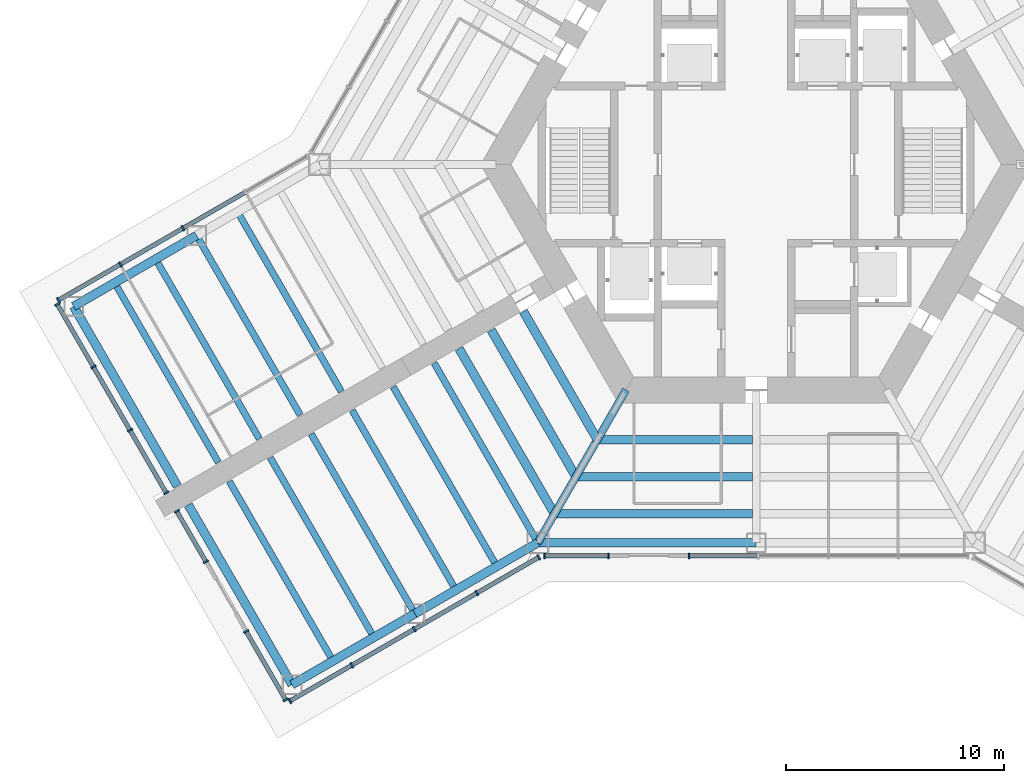
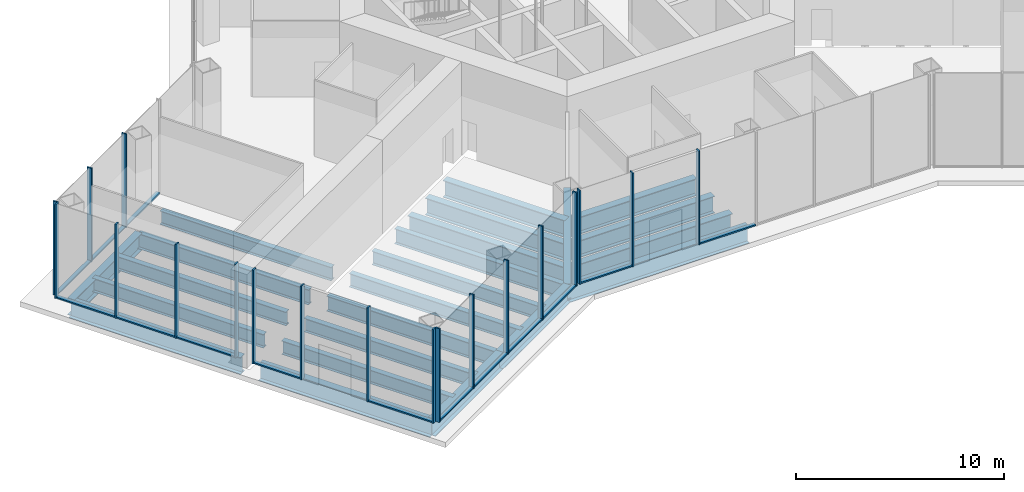
# One storey, part 2 of 18: 33 members, 23 beams, 7 elements without a shape of their own.
"""IFC4 building model written with IfcOpenShell, lengths in metres."""

from ifc_helpers import new_model, si_unit, direction, frame, origin, origin_2d, place, context, subcontext, project, spatial, rectangle, i_section, extrude, material, material_profile, profile_set, type_object, element, aggregate, save


model = new_model("IFC4")

# Units and contexts
model_context = context("Model", 3, precision=1e-05, world=origin(), true_north=direction((0.0, 1.0)))
body_context = subcontext(model_context, "Body", "Model", "MODEL_VIEW")
ifc_project = project(units=[si_unit("LENGTHUNIT", "METRE"), si_unit("AREAUNIT", "SQUARE_METRE"), si_unit("VOLUMEUNIT", "CUBIC_METRE"), si_unit("PLANEANGLEUNIT", "RADIAN"), si_unit("MASSUNIT", "GRAM", prefix="KILO")], contexts=[model_context])

# Site, building, storey
site_placement = place(None, origin())
site = spatial("IfcSite", under=ifc_project, at=site_placement, CompositionType="ELEMENT")
building_placement = place(site_placement, origin())
building = spatial("IfcBuilding", under=site, at=building_placement, Name="Kasaneha Research Tower", CompositionType="ELEMENT")
storey_placement = place(building_placement, origin())
storey = spatial("IfcBuildingStorey", under=building, at=storey_placement, Name="L01", CompositionType="ELEMENT", Elevation=0.0)

# Beams
ifc_material_1 = material(Name="Steel SN490B", Category="steel")
ifc_material_profile_1 = material_profile(ifc_material_1, i_section(OverallWidth=0.39990234375, OverallDepth=1.0, WebThickness=0.01904296875, FlangeThickness=0.035888671875, at=origin_2d()), Name="BH-1000x400x19x36")
ifc_profile_set_1 = profile_set([ifc_material_profile_1], Name="Steel SN490B")
beam_type_1 = type_object("IfcBeamType", Name="B1-0 secondary beam BH-1000x400x19x36", PredefinedType="JOIST", material=ifc_profile_set_1)
beam_1_placement = place(storey_placement, frame((-7.274658203125, -12.60009765625, -0.800048828125), z_axis=(-0.499976170333, 0.866039161412, 0.0), x_axis=(-0.866039161412, -0.499976170333, 0.0)))
element("IfcBeam", 1, at=beam_1_placement, inside=storey, type_object=beam_type_1, Name="Secondary beam RS210R1 L01", PredefinedType="JOIST", context=body_context, shape_type="SweptSolid", body=[
    extrude(i_section(OverallWidth=0.39990234375, OverallDepth=1.0, WebThickness=0.01904296875, FlangeThickness=0.035888671875, at=origin_2d()), origin(), (0.0, 0.0, 1.0), 6.774658203125),
])
beam_2_placement = place(storey_placement, frame((-8.256103515625, -14.300048828125, -0.800048828125), z_axis=(-0.500008546953, 0.866020469142, 0.0), x_axis=(-0.866020469142, -0.500008546953, 0.0)))
element("IfcBeam", 2, at=beam_2_placement, inside=storey, type_object=beam_type_1, Name="Secondary beam RS210R2 L01", PredefinedType="JOIST", context=body_context, shape_type="SweptSolid", body=[
    extrude(i_section(OverallWidth=0.39990234375, OverallDepth=1.0, WebThickness=0.01904296875, FlangeThickness=0.035888671875, at=origin_2d()), origin(), (0.0, 0.0, 1.0), 7.756103515625),
])
beam_3_placement = place(storey_placement, frame((-9.237548828125, -16.0, -0.800048828125), z_axis=(-0.500012694249, 0.866018074632, 0.0), x_axis=(-0.866018074632, -0.500012694249, 0.0)))
element("IfcBeam", 3, at=beam_3_placement, inside=storey, type_object=beam_type_1, Name="Secondary beam RS210R3 L01", PredefinedType="JOIST", context=body_context, shape_type="SweptSolid", body=[
    extrude(i_section(OverallWidth=0.39990234375, OverallDepth=1.0, WebThickness=0.01904296875, FlangeThickness=0.035888671875, at=origin_2d()), origin(), (0.0, 0.0, 1.0), 8.737548828125),
])
beam_4_placement = place(storey_placement, frame((-7.274658203125, -12.60009765625, -0.800048828125), z_axis=(1.0, 0.0, 0.0), x_axis=(0.0, 1.0, 0.0)))
element("IfcBeam", 4, at=beam_4_placement, inside=storey, type_object=beam_type_1, Name="Secondary beam RS270L1 L01", PredefinedType="JOIST", context=body_context, shape_type="SweptSolid", body=[
    extrude(i_section(OverallWidth=0.39990234375, OverallDepth=1.0, WebThickness=0.01904296875, FlangeThickness=0.035888671875, at=origin_2d()), origin(), (0.0, 0.0, 1.0), 7.099609375),
])
beam_5_placement = place(storey_placement, frame((-8.256103515625, -14.300048828125, -0.800048828125), z_axis=(1.0, 0.0, 0.0), x_axis=(0.0, 1.0, 0.0)))
element("IfcBeam", 5, at=beam_5_placement, inside=storey, type_object=beam_type_1, Name="Secondary beam RS270L2 L01", PredefinedType="JOIST", context=body_context, shape_type="SweptSolid", body=[
    extrude(i_section(OverallWidth=0.39990234375, OverallDepth=1.0, WebThickness=0.01904296875, FlangeThickness=0.035888671875, at=origin_2d()), origin(), (0.0, 0.0, 1.0), 8.0810546875),
])
beam_6_placement = place(storey_placement, frame((-9.237548828125, -16.0, -0.800048828125), z_axis=(1.0, 0.0, 0.0), x_axis=(0.0, 1.0, 0.0)))
element("IfcBeam", 6, at=beam_6_placement, inside=storey, type_object=beam_type_1, Name="Secondary beam RS270L3 L01", PredefinedType="JOIST", context=body_context, shape_type="SweptSolid", body=[
    extrude(i_section(OverallWidth=0.39990234375, OverallDepth=1.0, WebThickness=0.01904296875, FlangeThickness=0.035888671875, at=origin_2d()), origin(), (0.0, 0.0, 1.0), 9.0625),
])
ifc_material_2 = material(Name="Steel SN490B", Category="steel")
ifc_material_profile_2 = material_profile(ifc_material_2, i_section(OverallWidth=0.300048828125, OverallDepth=0.800048828125, WebThickness=0.013916015625, FlangeThickness=0.02587890625, FilletRadius=0.01806640625, at=origin_2d()), Name="H-800x300x14x26")
ifc_profile_set_2 = profile_set([ifc_material_profile_2], Name="Steel SN490B")
beam_type_2 = type_object("IfcBeamType", Name="B2-0 secondary beam H-800x300x14x26", PredefinedType="JOIST", material=ifc_profile_set_2)
beam_7_placement = place(storey_placement, frame((-23.752685546875, -2.166748046875, -0.699951171875), z_axis=(0.500008685663, -0.866020389056, 0.0), x_axis=(0.866020389056, 0.500008685663, 0.0)))
element("IfcBeam", 7, at=beam_7_placement, inside=storey, type_object=beam_type_2, Name="Secondary beam WBBP2 L01", PredefinedType="JOIST", context=body_context, shape_type="SweptSolid", body=[
    extrude(i_section(OverallWidth=0.300048828125, OverallDepth=0.800048828125, WebThickness=0.013916015625, FlangeThickness=0.02587890625, FilletRadius=0.01806640625, at=origin_2d()), origin(), (0.0, 0.0, 1.0), 9.499755859375),
])
beam_8_placement = place(storey_placement, frame((-27.505615234375, -4.333251953125, -0.699951171875), z_axis=(0.499997557548, -0.86602681393, 0.0), x_axis=(0.86602681393, 0.499997557548, 0.0)))
element("IfcBeam", 8, at=beam_8_placement, inside=storey, type_object=beam_type_2, Name="Secondary beam WBBP3 L01", PredefinedType="JOIST", context=body_context, shape_type="SweptSolid", body=[
    extrude(i_section(OverallWidth=0.300048828125, OverallDepth=0.800048828125, WebThickness=0.013916015625, FlangeThickness=0.02587890625, FilletRadius=0.01806640625, at=origin_2d()), origin(), (0.0, 0.0, 1.0), 9.5),
])
beam_9_placement = place(storey_placement, frame((-29.3818359375, -5.416748046875, -0.699951171875), z_axis=(0.500008685663, -0.866020389056, 0.0), x_axis=(0.866020389056, 0.500008685663, 0.0)))
element("IfcBeam", 9, at=beam_9_placement, inside=storey, type_object=beam_type_2, Name="Secondary beam WBBP4 L01", PredefinedType="JOIST", context=body_context, shape_type="SweptSolid", body=[
    extrude(i_section(OverallWidth=0.300048828125, OverallDepth=0.800048828125, WebThickness=0.013916015625, FlangeThickness=0.02587890625, FilletRadius=0.01806640625, at=origin_2d()), origin(), (0.0, 0.0, 1.0), 9.499755859375),
])
beam_10_placement = place(storey_placement, frame((-11.87646484375, -18.40380859375, -0.699951171875), z_axis=(-0.499997557548, 0.86602681393, 0.0), x_axis=(-0.86602681393, -0.499997557548, 0.0)))
element("IfcBeam", 10, at=beam_10_placement, inside=storey, type_object=beam_type_2, Name="Secondary beam WBBN1 L01", PredefinedType="JOIST", context=body_context, shape_type="SweptSolid", body=[
    extrude(i_section(OverallWidth=0.300048828125, OverallDepth=0.800048828125, WebThickness=0.013916015625, FlangeThickness=0.02587890625, FilletRadius=0.01806640625, at=origin_2d()), origin(), (0.0, 0.0, 1.0), 9.5),
])
beam_11_placement = place(storey_placement, frame((-13.752685546875, -19.487060546875, -0.699951171875), z_axis=(-0.500008685663, 0.866020389056, 0.0), x_axis=(-0.866020389056, -0.500008685663, 0.0)))
element("IfcBeam", 11, at=beam_11_placement, inside=storey, type_object=beam_type_2, Name="Secondary beam WBBN2 L01", PredefinedType="JOIST", context=body_context, shape_type="SweptSolid", body=[
    extrude(i_section(OverallWidth=0.300048828125, OverallDepth=0.800048828125, WebThickness=0.013916015625, FlangeThickness=0.02587890625, FilletRadius=0.01806640625, at=origin_2d()), origin(), (0.0, 0.0, 1.0), 9.499755859375),
])
beam_12_placement = place(storey_placement, frame((-17.505615234375, -21.65380859375, -0.699951171875), z_axis=(-0.499997557548, 0.86602681393, 0.0), x_axis=(-0.86602681393, -0.499997557548, 0.0)))
element("IfcBeam", 12, at=beam_12_placement, inside=storey, type_object=beam_type_2, Name="Secondary beam WBBN3 L01", PredefinedType="JOIST", context=body_context, shape_type="SweptSolid", body=[
    extrude(i_section(OverallWidth=0.300048828125, OverallDepth=0.800048828125, WebThickness=0.013916015625, FlangeThickness=0.02587890625, FilletRadius=0.01806640625, at=origin_2d()), origin(), (0.0, 0.0, 1.0), 9.5),
])
beam_13_placement = place(storey_placement, frame((-19.3818359375, -22.737060546875, -0.699951171875), z_axis=(-0.500008685663, 0.866020389056, 0.0), x_axis=(-0.866020389056, -0.500008685663, 0.0)))
element("IfcBeam", 13, at=beam_13_placement, inside=storey, type_object=beam_type_2, Name="Secondary beam WBBN4 L01", PredefinedType="JOIST", context=body_context, shape_type="SweptSolid", body=[
    extrude(i_section(OverallWidth=0.300048828125, OverallDepth=0.800048828125, WebThickness=0.013916015625, FlangeThickness=0.02587890625, FilletRadius=0.01806640625, at=origin_2d()), origin(), (0.0, 0.0, 1.0), 9.499755859375),
])

# Curtain wall, members
ifc_material_3 = material(Name="Glass and aluminium", Category="aluminium")
curtain_wall_type = type_object("IfcCurtainWallType", Name="Entrance hall curtain wall", PredefinedType="USERDEFINED", material=ifc_material_3)
curtain_wall_1_placement = place(storey_placement, origin())
curtain_wall_1 = element("IfcCurtainWall", 14, at=curtain_wall_1_placement, inside=storey, type_object=curtain_wall_type, Name="CW-H L01 run 01a", ObjectType="UNITISED CURTAIN WALL", PredefinedType="USERDEFINED")
ifc_material_4 = material(Name="Aluminium 6063-T6", Category="aluminium")
ifc_material_profile_3 = material_profile(ifc_material_4, rectangle(XDim=0.080078125, YDim=0.25, at=origin_2d()), Name="CW-H mullion 80x250")
ifc_profile_set_3 = profile_set([ifc_material_profile_3], Name="Aluminium 6063-T6")
member_type_1 = type_object("IfcMemberType", Name="CW-H mullion", PredefinedType="MULLION", material=ifc_profile_set_3)
member_1_placement = place(storey_placement, frame((-21.356689453125, -24.570068359375, 0.0), z_axis=(0.0, 0.0, 1.0), x_axis=(0.866025411464, 0.499999986699, 0.0)))
member_1 = element("IfcMember", 15, at=member_1_placement, type_object=member_type_1, Name="CW-H mullion 1", PredefinedType="MULLION", context=body_context, shape_type="SweptSolid", body=[
    extrude(rectangle(XDim=0.080078125, YDim=0.25, at=origin_2d()), origin(), (0.0, 0.0, 1.0), 5.5),
])
member_2_placement = place(storey_placement, frame((-18.52490234375, -22.935302734375, 0.0), z_axis=(0.0, 0.0, 1.0), x_axis=(0.866025411464, 0.499999986699, 0.0)))
member_2 = element("IfcMember", 16, at=member_2_placement, type_object=member_type_1, Name="CW-H mullion 2", PredefinedType="MULLION", context=body_context, shape_type="SweptSolid", body=[
    extrude(rectangle(XDim=0.080078125, YDim=0.25, at=origin_2d()), origin(), (0.0, 0.0, 1.0), 5.5),
])
member_3_placement = place(storey_placement, frame((-15.65869140625, -21.2802734375, 0.0), z_axis=(0.0, 0.0, 1.0), x_axis=(0.866025411464, 0.499999986699, 0.0)))
member_3 = element("IfcMember", 17, at=member_3_placement, type_object=member_type_1, Name="CW-H mullion 3", PredefinedType="MULLION", context=body_context, shape_type="SweptSolid", body=[
    extrude(rectangle(XDim=0.080078125, YDim=0.25, at=origin_2d()), origin(), (0.0, 0.0, 1.0), 5.5),
])
member_4_placement = place(storey_placement, frame((-12.792236328125, -19.62548828125, 0.0), z_axis=(0.0, 0.0, 1.0), x_axis=(0.866025411464, 0.499999986699, 0.0)))
member_4 = element("IfcMember", 18, at=member_4_placement, type_object=member_type_1, Name="CW-H mullion 4", PredefinedType="MULLION", context=body_context, shape_type="SweptSolid", body=[
    extrude(rectangle(XDim=0.080078125, YDim=0.25, at=origin_2d()), origin(), (0.0, 0.0, 1.0), 5.5),
])
member_5_placement = place(storey_placement, frame((-9.96044921875, -17.990478515625, 0.0), z_axis=(0.0, 0.0, 1.0), x_axis=(0.866025411464, 0.499999986699, 0.0)))
member_5 = element("IfcMember", 19, at=member_5_placement, type_object=member_type_1, Name="CW-H mullion 5", PredefinedType="MULLION", context=body_context, shape_type="SweptSolid", body=[
    extrude(rectangle(XDim=0.080078125, YDim=0.25, at=origin_2d()), origin(), (0.0, 0.0, 1.0), 5.5),
])

curtain_wall_2_placement = place(storey_placement, origin())
curtain_wall_2 = element("IfcCurtainWall", 20, at=curtain_wall_2_placement, inside=storey, type_object=curtain_wall_type, Name="CW-H L01 run 02a", ObjectType="UNITISED CURTAIN WALL", PredefinedType="USERDEFINED")
member_6_placement = place(storey_placement, frame((-9.69921875, -17.92041015625, 0.0), z_axis=(0.0, 0.0, 1.0), x_axis=(1.0, 0.0, 0.0)))
member_6 = element("IfcMember", 21, at=member_6_placement, type_object=member_type_1, Name="CW-H mullion 1", PredefinedType="MULLION", context=body_context, shape_type="SweptSolid", body=[
    extrude(rectangle(XDim=0.080078125, YDim=0.25, at=origin_2d()), origin(), (0.0, 0.0, 1.0), 5.5),
])
member_7_placement = place(storey_placement, frame((-6.759521484375, -17.92041015625, 0.0), z_axis=(0.0, 0.0, 1.0), x_axis=(1.0, 0.0, 0.0)))
member_7 = element("IfcMember", 22, at=member_7_placement, type_object=member_type_1, Name="CW-H mullion 2", PredefinedType="MULLION", context=body_context, shape_type="SweptSolid", body=[
    extrude(rectangle(XDim=0.080078125, YDim=0.25, at=origin_2d()), origin(), (0.0, 0.0, 1.0), 5.5),
])

# Curtain wall, member
curtain_wall_3_placement = place(storey_placement, origin())
curtain_wall_3 = element("IfcCurtainWall", 23, at=curtain_wall_3_placement, inside=storey, type_object=curtain_wall_type, Name="CW-H L01 run 02c", ObjectType="UNITISED CURTAIN WALL", PredefinedType="USERDEFINED")
member_8_placement = place(storey_placement, frame((-3.07958984375, -17.92041015625, 0.0), z_axis=(0.0, 0.0, 1.0), x_axis=(1.0, 0.0, 0.0)))
member_8 = element("IfcMember", 24, at=member_8_placement, type_object=member_type_1, Name="CW-H mullion 1", PredefinedType="MULLION", context=body_context, shape_type="SweptSolid", body=[
    extrude(rectangle(XDim=0.080078125, YDim=0.25, at=origin_2d()), origin(), (0.0, 0.0, 1.0), 5.5),
])

# Curtain wall, members
curtain_wall_4_placement = place(storey_placement, origin())
curtain_wall_4 = element("IfcCurtainWall", 25, at=curtain_wall_4_placement, inside=storey, type_object=curtain_wall_type, Name="CW-H L01 run 13a", ObjectType="UNITISED CURTAIN WALL", PredefinedType="USERDEFINED")
member_9_placement = place(storey_placement, frame((-26.258544921875, -2.920654296875, 0.0), z_axis=(0.0, 0.0, 1.0), x_axis=(-0.866025411464, -0.499999986699, 0.0)))
member_9 = element("IfcMember", 26, at=member_9_placement, type_object=member_type_1, Name="CW-H mullion 3", PredefinedType="MULLION", context=body_context, shape_type="SweptSolid", body=[
    extrude(rectangle(XDim=0.080078125, YDim=0.25, at=origin_2d()), origin(), (0.0, 0.0, 1.0), 5.5),
])
member_10_placement = place(storey_placement, frame((-29.125, -4.575439453125, 0.0), z_axis=(0.0, 0.0, 1.0), x_axis=(-0.866025411464, -0.499999986699, 0.0)))
member_10 = element("IfcMember", 27, at=member_10_placement, type_object=member_type_1, Name="CW-H mullion 4", PredefinedType="MULLION", context=body_context, shape_type="SweptSolid", body=[
    extrude(rectangle(XDim=0.080078125, YDim=0.25, at=origin_2d()), origin(), (0.0, 0.0, 1.0), 5.5),
])
member_11_placement = place(storey_placement, frame((-31.956787109375, -6.21044921875, 0.0), z_axis=(0.0, 0.0, 1.0), x_axis=(-0.866025411464, -0.499999986699, 0.0)))
member_11 = element("IfcMember", 28, at=member_11_placement, type_object=member_type_1, Name="CW-H mullion 5", PredefinedType="MULLION", context=body_context, shape_type="SweptSolid", body=[
    extrude(rectangle(XDim=0.080078125, YDim=0.25, at=origin_2d()), origin(), (0.0, 0.0, 1.0), 5.5),
])

curtain_wall_5_placement = place(storey_placement, origin())
curtain_wall_5 = element("IfcCurtainWall", 29, at=curtain_wall_5_placement, inside=storey, type_object=curtain_wall_type, Name="CW-H L01 run 14a", ObjectType="UNITISED CURTAIN WALL", PredefinedType="USERDEFINED")
member_12_placement = place(storey_placement, frame((-32.008056640625, -6.401611328125, 0.0), z_axis=(0.0, 0.0, 1.0), x_axis=(0.500000011442, -0.866025397178, 0.0)))
member_12 = element("IfcMember", 30, at=member_12_placement, type_object=member_type_1, Name="CW-H mullion 1", PredefinedType="MULLION", context=body_context, shape_type="SweptSolid", body=[
    extrude(rectangle(XDim=0.080078125, YDim=0.25, at=origin_2d()), origin(), (0.0, 0.0, 1.0), 5.5),
])
member_13_placement = place(storey_placement, frame((-30.35302734375, -9.26806640625, 0.0), z_axis=(0.0, 0.0, 1.0), x_axis=(0.500000011442, -0.866025397178, 0.0)))
member_13 = element("IfcMember", 31, at=member_13_placement, type_object=member_type_1, Name="CW-H mullion 2", PredefinedType="MULLION", context=body_context, shape_type="SweptSolid", body=[
    extrude(rectangle(XDim=0.080078125, YDim=0.25, at=origin_2d()), origin(), (0.0, 0.0, 1.0), 5.5),
])
member_14_placement = place(storey_placement, frame((-28.677978515625, -12.16943359375, 0.0), z_axis=(0.0, 0.0, 1.0), x_axis=(0.500000011442, -0.866025397178, 0.0)))
member_14 = element("IfcMember", 32, at=member_14_placement, type_object=member_type_1, Name="CW-H mullion 3", PredefinedType="MULLION", context=body_context, shape_type="SweptSolid", body=[
    extrude(rectangle(XDim=0.080078125, YDim=0.25, at=origin_2d()), origin(), (0.0, 0.0, 1.0), 5.5),
])
member_15_placement = place(storey_placement, frame((-27.02294921875, -15.035888671875, 0.0), z_axis=(0.0, 0.0, 1.0), x_axis=(0.500000011442, -0.866025397178, 0.0)))
member_15 = element("IfcMember", 33, at=member_15_placement, type_object=member_type_1, Name="CW-H mullion 4", PredefinedType="MULLION", context=body_context, shape_type="SweptSolid", body=[
    extrude(rectangle(XDim=0.080078125, YDim=0.25, at=origin_2d()), origin(), (0.0, 0.0, 1.0), 5.5),
])

curtain_wall_6_placement = place(storey_placement, origin())
curtain_wall_6 = element("IfcCurtainWall", 34, at=curtain_wall_6_placement, inside=storey, type_object=curtain_wall_type, Name="CW-H L01 run 15a", ObjectType="UNITISED CURTAIN WALL", PredefinedType="USERDEFINED")
member_16_placement = place(storey_placement, frame((-26.532958984375, -15.884521484375, 0.0), z_axis=(0.0, 0.0, 1.0), x_axis=(0.500000011442, -0.866025397178, 0.0)))
member_16 = element("IfcMember", 35, at=member_16_placement, type_object=member_type_1, Name="CW-H mullion 1", PredefinedType="MULLION", context=body_context, shape_type="SweptSolid", body=[
    extrude(rectangle(XDim=0.080078125, YDim=0.25, at=origin_2d()), origin(), (0.0, 0.0, 1.0), 5.5),
])
member_17_placement = place(storey_placement, frame((-25.197998046875, -18.19677734375, 0.0), z_axis=(0.0, 0.0, 1.0), x_axis=(0.500000011442, -0.866025397178, 0.0)))
member_17 = element("IfcMember", 36, at=member_17_placement, type_object=member_type_1, Name="CW-H mullion 2", PredefinedType="MULLION", context=body_context, shape_type="SweptSolid", body=[
    extrude(rectangle(XDim=0.080078125, YDim=0.25, at=origin_2d()), origin(), (0.0, 0.0, 1.0), 5.5),
])

curtain_wall_7_placement = place(storey_placement, origin())
curtain_wall_7 = element("IfcCurtainWall", 37, at=curtain_wall_7_placement, inside=storey, type_object=curtain_wall_type, Name="CW-H L01 run 15c", ObjectType="UNITISED CURTAIN WALL", PredefinedType="USERDEFINED")
member_18_placement = place(storey_placement, frame((-23.35791015625, -21.3837890625, 0.0), z_axis=(0.0, 0.0, 1.0), x_axis=(0.500000011442, -0.866025397178, 0.0)))
member_18 = element("IfcMember", 38, at=member_18_placement, type_object=member_type_1, Name="CW-H mullion 1", PredefinedType="MULLION", context=body_context, shape_type="SweptSolid", body=[
    extrude(rectangle(XDim=0.080078125, YDim=0.25, at=origin_2d()), origin(), (0.0, 0.0, 1.0), 5.5),
])
member_19_placement = place(storey_placement, frame((-21.5478515625, -24.518798828125, 0.0), z_axis=(0.0, 0.0, 1.0), x_axis=(0.500000011442, -0.866025397178, 0.0)))
member_19 = element("IfcMember", 39, at=member_19_placement, type_object=member_type_1, Name="CW-H mullion 2", PredefinedType="MULLION", context=body_context, shape_type="SweptSolid", body=[
    extrude(rectangle(XDim=0.080078125, YDim=0.25, at=origin_2d()), origin(), (0.0, 0.0, 1.0), 5.5),
])

# Member
ifc_material_5 = material(Name="Aluminium 6063-T6", Category="aluminium")
ifc_material_profile_4 = material_profile(ifc_material_5, rectangle(XDim=0.199951171875, YDim=0.080078125, at=origin_2d()), Name="CW-H transom 200x80")
ifc_profile_set_4 = profile_set([ifc_material_profile_4], Name="Aluminium 6063-T6")
member_type_2 = type_object("IfcMemberType", Name="CW-H transom", PredefinedType="USERDEFINED", material=ifc_profile_set_4)
member_20_placement = place(storey_placement, frame((-21.322021484375, -24.550048828125, 0.0400390625), z_axis=(0.866049209109, 0.499958765701, 0.0), x_axis=(-0.499958765701, 0.866049209109, 0.0)))
member_20 = element("IfcMember", 40, at=member_20_placement, type_object=member_type_2, Name="CW-H transom 1", ObjectType="TRANSOM", PredefinedType="USERDEFINED", context=body_context, shape_type="SweptSolid", body=[
    extrude(rectangle(XDim=0.199951171875, YDim=0.080078125, at=origin_2d()), origin(), (0.0, 0.0, 1.0), 3.189697265625),
])

member_21_placement = place(storey_placement, frame((-18.490234375, -22.915283203125, 0.0400390625), z_axis=(0.866015650984, 0.500016891966, 0.0), x_axis=(-0.500016891966, 0.866015650984, 0.0)))
member_21 = element("IfcMember", 41, at=member_21_placement, type_object=member_type_2, Name="CW-H transom 2", ObjectType="TRANSOM", PredefinedType="USERDEFINED", context=body_context, shape_type="SweptSolid", body=[
    extrude(rectangle(XDim=0.199951171875, YDim=0.080078125, at=origin_2d()), origin(), (0.0, 0.0, 1.0), 3.22998046875),
])

member_22_placement = place(storey_placement, frame((-15.6240234375, -21.26025390625, 0.0400390625), z_axis=(0.866048381815, 0.499960198771, 0.0), x_axis=(-0.499960198771, 0.866048381815, 0.0)))
member_22 = element("IfcMember", 42, at=member_22_placement, type_object=member_type_2, Name="CW-H transom 3", ObjectType="TRANSOM", PredefinedType="USERDEFINED", context=body_context, shape_type="SweptSolid", body=[
    extrude(rectangle(XDim=0.199951171875, YDim=0.080078125, at=origin_2d()), origin(), (0.0, 0.0, 1.0), 3.229736328125),
])

member_23_placement = place(storey_placement, frame((-12.757568359375, -19.60546875, 0.0400390625), z_axis=(0.866016067539, 0.500016170502, 0.0), x_axis=(-0.500016170502, 0.866016067539, 0.0)))
member_23 = element("IfcMember", 43, at=member_23_placement, type_object=member_type_2, Name="CW-H transom 4", ObjectType="TRANSOM", PredefinedType="USERDEFINED", context=body_context, shape_type="SweptSolid", body=[
    extrude(rectangle(XDim=0.199951171875, YDim=0.080078125, at=origin_2d()), origin(), (0.0, 0.0, 1.0), 3.18994140625),
])

aggregate(curtain_wall_1, [member_1, member_2, member_3, member_4, member_5, member_20, member_21, member_22, member_23])

member_24_placement = place(storey_placement, frame((-9.6591796875, -17.92041015625, 0.0400390625), z_axis=(1.0, 0.0, 0.0), x_axis=(0.0, 1.0, 0.0)))
member_24 = element("IfcMember", 44, at=member_24_placement, type_object=member_type_2, Name="CW-H transom 1", ObjectType="TRANSOM", PredefinedType="USERDEFINED", context=body_context, shape_type="SweptSolid", body=[
    extrude(rectangle(XDim=0.199951171875, YDim=0.080078125, at=origin_2d()), origin(), (0.0, 0.0, 1.0), 2.859619140625),
])

aggregate(curtain_wall_2, [member_6, member_7, member_24])

member_25_placement = place(storey_placement, frame((-3.03955078125, -17.92041015625, 0.0400390625), z_axis=(1.0, 0.0, 0.0), x_axis=(0.0, 1.0, 0.0)))
member_25 = element("IfcMember", 45, at=member_25_placement, type_object=member_type_2, Name="CW-H transom 1", ObjectType="TRANSOM", PredefinedType="USERDEFINED", context=body_context, shape_type="SweptSolid", body=[
    extrude(rectangle(XDim=0.199951171875, YDim=0.080078125, at=origin_2d()), origin(), (0.0, 0.0, 1.0), 3.0947265625),
])

aggregate(curtain_wall_3, [member_8, member_25])

member_26_placement = place(storey_placement, frame((-23.4267578125, -1.28564453125, 0.0400390625), z_axis=(-0.866015650984, -0.500016891966, 0.0), x_axis=(0.500016891966, -0.866015650984, 0.0)))
member_26 = element("IfcMember", 46, at=member_26_placement, type_object=member_type_2, Name="CW-H transom 2", ObjectType="TRANSOM", PredefinedType="USERDEFINED", context=body_context, shape_type="SweptSolid", body=[
    extrude(rectangle(XDim=0.199951171875, YDim=0.080078125, at=origin_2d()), origin(), (0.0, 0.0, 1.0), 3.22998046875),
])

member_27_placement = place(storey_placement, frame((-26.293212890625, -2.940673828125, 0.0400390625), z_axis=(-0.866048381815, -0.499960198771, 0.0), x_axis=(0.499960198771, -0.866048381815, 0.0)))
member_27 = element("IfcMember", 47, at=member_27_placement, type_object=member_type_2, Name="CW-H transom 3", ObjectType="TRANSOM", PredefinedType="USERDEFINED", context=body_context, shape_type="SweptSolid", body=[
    extrude(rectangle(XDim=0.199951171875, YDim=0.080078125, at=origin_2d()), origin(), (0.0, 0.0, 1.0), 3.229736328125),
])

member_28_placement = place(storey_placement, frame((-29.15966796875, -4.595458984375, 0.0400390625), z_axis=(-0.866016067539, -0.500016170502, 0.0), x_axis=(0.500016170502, -0.866016067539, 0.0)))
member_28 = element("IfcMember", 48, at=member_28_placement, type_object=member_type_2, Name="CW-H transom 4", ObjectType="TRANSOM", PredefinedType="USERDEFINED", context=body_context, shape_type="SweptSolid", body=[
    extrude(rectangle(XDim=0.199951171875, YDim=0.080078125, at=origin_2d()), origin(), (0.0, 0.0, 1.0), 3.18994140625),
])

aggregate(curtain_wall_4, [member_9, member_10, member_11, member_26, member_27, member_28])

member_29_placement = place(storey_placement, frame((-31.988037109375, -6.436279296875, 0.0400390625), z_axis=(0.499984162302, -0.866034547491, 0.0), x_axis=(0.866034547491, 0.499984162302, 0.0)))
member_29 = element("IfcMember", 49, at=member_29_placement, type_object=member_type_2, Name="CW-H transom 1", ObjectType="TRANSOM", PredefinedType="USERDEFINED", context=body_context, shape_type="SweptSolid", body=[
    extrude(rectangle(XDim=0.199951171875, YDim=0.080078125, at=origin_2d()), origin(), (0.0, 0.0, 1.0), 3.22998046875),
])

member_30_placement = place(storey_placement, frame((-30.3330078125, -9.302734375, 0.0400390625), z_axis=(0.499985266753, -0.866033909861, 0.0), x_axis=(0.866033909861, 0.499985266753, 0.0)))
member_30 = element("IfcMember", 50, at=member_30_placement, type_object=member_type_2, Name="CW-H transom 2", ObjectType="TRANSOM", PredefinedType="USERDEFINED", context=body_context, shape_type="SweptSolid", body=[
    extrude(rectangle(XDim=0.199951171875, YDim=0.080078125, at=origin_2d()), origin(), (0.0, 0.0, 1.0), 3.27001953125),
])

member_31_placement = place(storey_placement, frame((-28.657958984375, -12.2041015625, 0.0400390625), z_axis=(0.500016891966, -0.866015650984, 0.0), x_axis=(0.866015650984, 0.500016891966, 0.0)))
member_31 = element("IfcMember", 51, at=member_31_placement, type_object=member_type_2, Name="CW-H transom 3", ObjectType="TRANSOM", PredefinedType="USERDEFINED", context=body_context, shape_type="SweptSolid", body=[
    extrude(rectangle(XDim=0.199951171875, YDim=0.080078125, at=origin_2d()), origin(), (0.0, 0.0, 1.0), 3.22998046875),
])

aggregate(curtain_wall_5, [member_12, member_13, member_14, member_15, member_29, member_30, member_31])

member_32_placement = place(storey_placement, frame((-26.512939453125, -15.919189453125, 0.0400390625), z_axis=(0.49995091795, -0.866053739465, 0.0), x_axis=(0.866053739465, 0.49995091795, 0.0)))
member_32 = element("IfcMember", 52, at=member_32_placement, type_object=member_type_2, Name="CW-H transom 1", ObjectType="TRANSOM", PredefinedType="USERDEFINED", context=body_context, shape_type="SweptSolid", body=[
    extrude(rectangle(XDim=0.199951171875, YDim=0.080078125, at=origin_2d()), origin(), (0.0, 0.0, 1.0), 2.590087890625),
])

aggregate(curtain_wall_6, [member_16, member_17, member_32])

member_33_placement = place(storey_placement, frame((-23.337890625, -21.41845703125, 0.0400390625), z_axis=(0.500011000363, -0.866019052629, 0.0), x_axis=(0.866019052629, 0.500011000363, 0.0)))
member_33 = element("IfcMember", 53, at=member_33_placement, type_object=member_type_2, Name="CW-H transom 1", ObjectType="TRANSOM", PredefinedType="USERDEFINED", context=body_context, shape_type="SweptSolid", body=[
    extrude(rectangle(XDim=0.199951171875, YDim=0.080078125, at=origin_2d()), origin(), (0.0, 0.0, 1.0), 3.5400390625),
])

aggregate(curtain_wall_7, [member_18, member_19, member_33])

# Beams
ifc_material_6 = material(Name="Steel SN490B", Category="steel")
ifc_material_profile_5 = material_profile(ifc_material_6, i_section(OverallWidth=0.35009765625, OverallDepth=0.89990234375, WebThickness=0.01611328125, FlangeThickness=0.031982421875, at=origin_2d()), Name="BH-900x350x16x32")
ifc_profile_set_5 = profile_set([ifc_material_profile_5], Name="Steel SN490B")
beam_type_3 = type_object("IfcBeamType", Name="G1-0 radial girder BH-900x350x16x32", PredefinedType="BEAM", material=ifc_profile_set_5)
beam_14_placement = place(storey_placement, frame((-5.961181640625, -10.324951171875, -0.75), z_axis=(-0.49999105496, -0.866030568144, 0.0), x_axis=(0.866030568144, -0.49999105496, 0.0)))
element("IfcBeam", 54, at=beam_14_placement, inside=storey, type_object=beam_type_3, Name="Radial girder RV240 L01", PredefinedType="BEAM", context=body_context, shape_type="SweptSolid", body=[
    extrude(i_section(OverallWidth=0.35009765625, OverallDepth=0.89990234375, WebThickness=0.01611328125, FlangeThickness=0.031982421875, at=origin_2d()), origin(), (0.0, 0.0, 1.0), 8.077880859375),
])
ifc_material_7 = material(Name="Steel SN490B", Category="steel")
ifc_material_profile_6 = material_profile(ifc_material_7, i_section(OverallWidth=0.299072265625, OverallDepth=0.889892578125, WebThickness=0.014892578125, FlangeThickness=0.02294921875, FilletRadius=0.01806640625, at=origin_2d()), Name="H-890x299x15x23")
ifc_profile_set_6 = profile_set([ifc_material_profile_6], Name="Steel SN490B")
beam_type_4 = type_object("IfcBeamType", Name="G3-0 plate edge girder H-890x299x15x23", PredefinedType="BEAM", material=ifc_profile_set_6)
beam_15_placement = place(storey_placement, frame((-10.0, -17.320556640625, -0.7451171875), z_axis=(-0.499997557548, 0.86602681393, 0.0), x_axis=(-0.86602681393, -0.499997557548, 0.0)))
element("IfcBeam", 55, at=beam_15_placement, inside=storey, type_object=beam_type_4, Name="Plate edge girder PEBN L01", PredefinedType="BEAM", context=body_context, shape_type="SweptSolid", body=[
    extrude(i_section(OverallWidth=0.299072265625, OverallDepth=0.889892578125, WebThickness=0.014892578125, FlangeThickness=0.02294921875, FilletRadius=0.01806640625, at=origin_2d()), origin(), (0.0, 0.0, 1.0), 9.5),
])
ifc_material_8 = material(Name="Steel SN490B", Category="steel")
ifc_material_profile_7 = material_profile(ifc_material_8, i_section(OverallWidth=0.300048828125, OverallDepth=0.89990234375, WebThickness=0.01611328125, FlangeThickness=0.028076171875, FilletRadius=0.01806640625, at=origin_2d()), Name="H-900x300x16x28")
ifc_profile_set_7 = profile_set([ifc_material_profile_7], Name="Steel SN490B")
beam_type_5 = type_object("IfcBeamType", Name="G4-0 wing girder H-900x300x16x28", PredefinedType="BEAM", material=ifc_profile_set_7)
for number, where, z_axis, x_axis, name in (
    (56, (-25.629150390625, -3.25, -0.75), (0.499997557548, -0.86602681393, 0.0), (0.86602681393, 0.499997557548, 0.0), "Wing girder WGBP L01"),
    (57, (-15.629150390625, -20.570556640625, -0.75), (-0.499997557548, 0.86602681393, 0.0), (-0.86602681393, -0.499997557548, 0.0), "Wing girder WGBN L01"),
):
    element("IfcBeam", number, at=place(storey_placement, frame(where, z_axis=z_axis, x_axis=x_axis)), inside=storey, type_object=beam_type_5, Name=name, PredefinedType="BEAM", context=body_context, shape_type="SweptSolid", body=[
        extrude(i_section(OverallWidth=0.300048828125, OverallDepth=0.89990234375, WebThickness=0.01611328125, FlangeThickness=0.028076171875, FilletRadius=0.01806640625, at=origin_2d()), origin(), (0.0, 0.0, 1.0), 9.5),
    ])
ifc_material_9 = material(Name="Steel SN490B", Category="steel")
ifc_material_profile_8 = material_profile(ifc_material_9, i_section(OverallWidth=0.39990234375, OverallDepth=1.0, WebThickness=0.01904296875, FlangeThickness=0.035888671875, at=origin_2d()), Name="BH-1000x400x19x36")
ifc_profile_set_8 = profile_set([ifc_material_profile_8], Name="Steel SN490B")
beam_type_6 = type_object("IfcBeamType", Name="SB1-0 spandrel beam BH-1000x400x19x36", PredefinedType="SPANDREL", material=ifc_profile_set_8)
beam_16_placement = place(storey_placement, frame((-10.0, -17.320556640625, -0.800048828125), z_axis=(1.0, 0.0, 0.0), x_axis=(0.0, 1.0, 0.0)))
element("IfcBeam", 58, at=beam_16_placement, inside=storey, type_object=beam_type_6, Name="Spandrel beam SR270L L01", PredefinedType="SPANDREL", context=body_context, shape_type="SweptSolid", body=[
    extrude(i_section(OverallWidth=0.39990234375, OverallDepth=1.0, WebThickness=0.01904296875, FlangeThickness=0.035888671875, at=origin_2d()), origin(), (0.0, 0.0, 1.0), 10.0),
])
ifc_material_10 = material(Name="Steel SN490B", Category="steel")
ifc_material_profile_9 = material_profile(ifc_material_10, i_section(OverallWidth=0.39990234375, OverallDepth=1.0, WebThickness=0.01904296875, FlangeThickness=0.035888671875, at=origin_2d()), Name="BH-1000x400x19x36")
ifc_profile_set_9 = profile_set([ifc_material_profile_9], Name="Steel SN490B")
beam_type_7 = type_object("IfcBeamType", Name="SB2-0 spandrel beam BH-1000x400x19x36", PredefinedType="SPANDREL", material=ifc_profile_set_9)
for number, where, z_axis, x_axis, name in (
    (59, (-25.629150390625, -3.25, -0.800048828125), (-0.866024837091, -0.50000098154, 0.0), (0.50000098154, -0.866024837091, 0.0), "Spandrel beam WSBP2 L01"),
    (60, (-10.0, -17.320556640625, -0.800048828125), (-0.866024837091, -0.50000098154, 0.0), (0.50000098154, -0.866024837091, 0.0), "Spandrel beam WSBN1 L01"),
    (61, (-15.629150390625, -20.570556640625, -0.800048828125), (-0.866024837091, -0.50000098154, 0.0), (0.50000098154, -0.866024837091, 0.0), "Spandrel beam WSBN2 L01"),
):
    element("IfcBeam", number, at=place(storey_placement, frame(where, z_axis=z_axis, x_axis=x_axis)), inside=storey, type_object=beam_type_7, Name=name, PredefinedType="SPANDREL", context=body_context, shape_type="SweptSolid", body=[
        extrude(i_section(OverallWidth=0.39990234375, OverallDepth=1.0, WebThickness=0.01904296875, FlangeThickness=0.035888671875, at=origin_2d()), origin(), (0.0, 0.0, 1.0), 6.5),
    ])
ifc_material_11 = material(Name="Steel SN490B", Category="steel")
ifc_material_profile_10 = material_profile(ifc_material_11, i_section(OverallWidth=0.39990234375, OverallDepth=1.0, WebThickness=0.02197265625, FlangeThickness=0.0400390625, at=origin_2d()), Name="BH-1000x400x22x40")
ifc_profile_set_10 = profile_set([ifc_material_profile_10], Name="Steel SN490B")
beam_type_8 = type_object("IfcBeamType", Name="SB3-0 spandrel beam BH-1000x400x22x40", PredefinedType="SPANDREL", material=ifc_profile_set_10)
for number, where, z_axis, x_axis, name in (
    (62, (-31.25830078125, -6.5, -0.800048828125), (0.499997557548, -0.86602681393, 0.0), (0.86602681393, 0.499997557548, 0.0), "Spandrel beam WTBP L01"),
    (63, (-21.25830078125, -23.820556640625, -0.800048828125), (-0.499997557548, 0.86602681393, 0.0), (-0.86602681393, -0.499997557548, 0.0), "Spandrel beam WTBN L01"),
):
    element("IfcBeam", number, at=place(storey_placement, frame(where, z_axis=z_axis, x_axis=x_axis)), inside=storey, type_object=beam_type_8, Name=name, PredefinedType="SPANDREL", context=body_context, shape_type="SweptSolid", body=[
        extrude(i_section(OverallWidth=0.39990234375, OverallDepth=1.0, WebThickness=0.02197265625, FlangeThickness=0.0400390625, at=origin_2d()), origin(), (0.0, 0.0, 1.0), 9.5),
    ])

save(model, "model.ifc")
